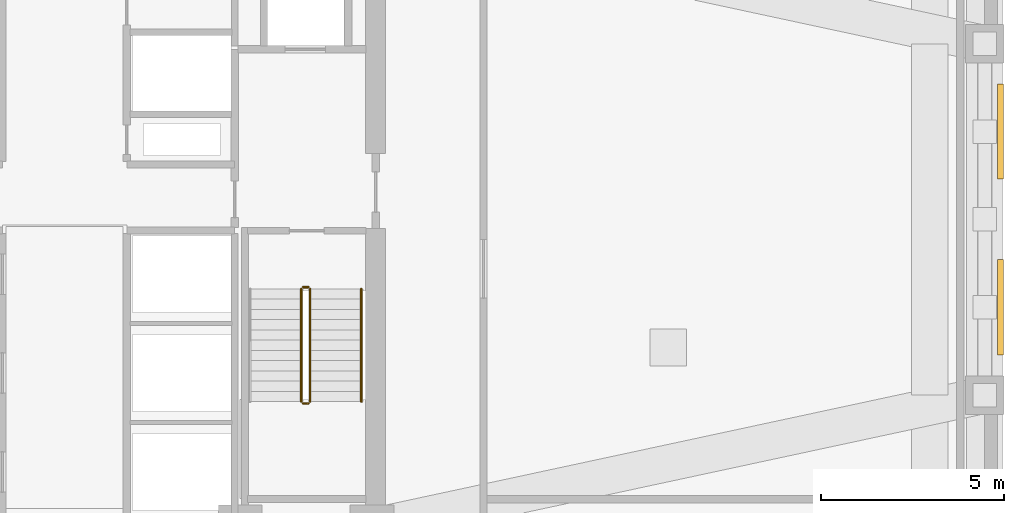
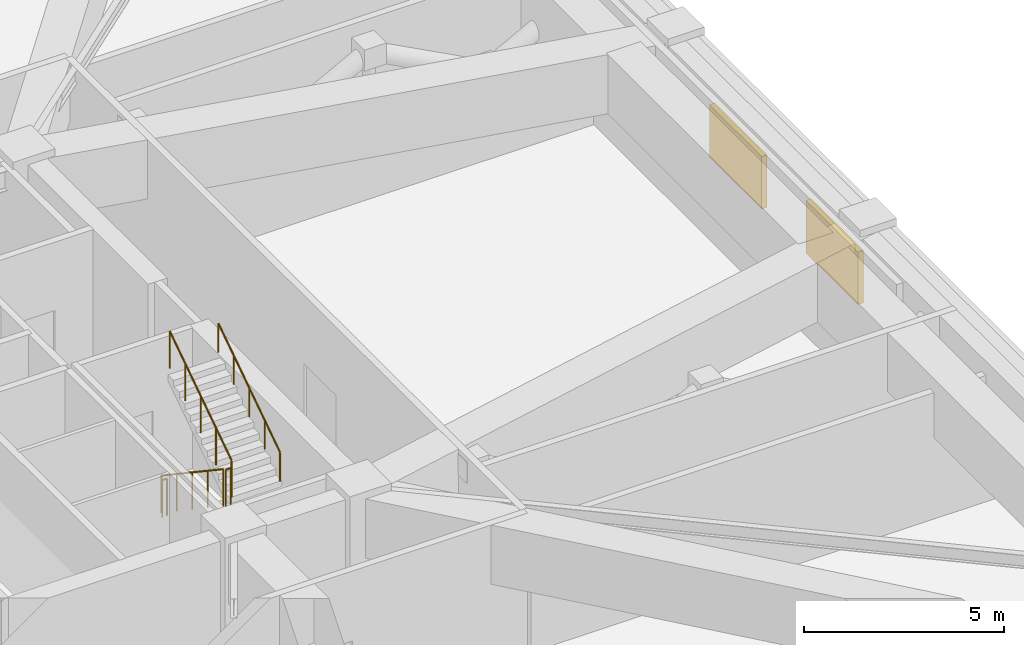
# One storey, part 11 of 13: 5 railings, 2 shading devices.
"""IFC4 building model written with IfcOpenShell, lengths in metres."""

import ifcopenshell
import ifcopenshell.guid

model = None  # the IFC model being written
_history = None  # IfcOwnerHistory: only IFC2X3 demands one
_inside = {}  # id of a spatial element -> (the spatial element, [elements in it])
_under = {}  # id of a project, library or spatial element -> (it, [spatial elements below it])
_declared = {}  # id of a project -> (the project, [libraries it declares])
_typed = {}  # id of a type object -> (the type object, [elements of that type])
_made_of = {}  # id of a material, layer set ... -> (it, [elements and type objects made of it])


def new_model(schema):
    """Start an empty IFC model of exactly this schema.

    Asked for "IFC4X3", IfcOpenShell would pick the latest addendum, in which some entities
    have other attributes; the version numbers below select the first issue.
    IFC2X3 requires an IfcOwnerHistory on every rooted entity: one is made here for all.
    """
    global model, _history
    if schema == "IFC4X3":
        model = ifcopenshell.file(schema_version=(4, 3, 0, 0))
    else:
        model = ifcopenshell.file(schema=schema)
    _inside.clear()
    _under.clear()
    _declared.clear()
    _typed.clear()
    _made_of.clear()
    _history = None
    if model.schema == "IFC2X3":
        org = make("IfcOrganization", Name="unknown")
        user = make(
            "IfcPersonAndOrganization",
            ThePerson=make("IfcPerson", FamilyName="unknown"),
            TheOrganization=org,
        )
        app = make(
            "IfcApplication",
            ApplicationDeveloper=org,
            Version="unknown",
            ApplicationFullName="unknown",
            ApplicationIdentifier="unknown",
        )
        _history = make(
            "IfcOwnerHistory",
            OwningUser=user,
            OwningApplication=app,
            ChangeAction="ADDED",
            CreationDate=0,
        )
    return model


def make(cls, **values):
    """One entity of the class cls with the attributes given. An attribute that is None is left unset."""
    return model.create_entity(
        cls, **{name: value for name, value in values.items() if value is not None}
    )


def rooted(cls, **values):
    """An entity with a GlobalId (a new one), such as an element, a storey or a relation."""
    return make(cls, GlobalId=ifcopenshell.guid.new(), OwnerHistory=_history, **values)


def si_unit(unit_type, name, prefix=None):
    """IfcSIUnit, for example si_unit("LENGTHUNIT", "METRE", prefix="MILLI")."""
    return make("IfcSIUnit", UnitType=unit_type, Prefix=prefix, Name=name)


def assignment(units):
    """IfcUnitAssignment: the units of a project."""
    return None if units is None else make("IfcUnitAssignment", Units=units)


def point(xyz):
    """IfcCartesianPoint."""
    return None if xyz is None else make("IfcCartesianPoint", Coordinates=xyz)


def direction(xyz):
    """IfcDirection."""
    return None if xyz is None else make("IfcDirection", DirectionRatios=xyz)


def frame(location, z_axis=None, x_axis=None):
    """IfcAxis2Placement3D, a coordinate frame: its origin and axes. An axis left out is left unset."""
    return make(
        "IfcAxis2Placement3D",
        Location=point(location),
        Axis=direction(z_axis),
        RefDirection=direction(x_axis),
    )


def frame_2d(location, x_axis=None):
    """IfcAxis2Placement2D, a coordinate frame in the plane: its origin and x axis."""
    return make(
        "IfcAxis2Placement2D", Location=point(location), RefDirection=direction(x_axis)
    )


def origin():
    """The frame at (0, 0, 0) with its axes left unset."""
    return frame((0.0, 0.0, 0.0))


def origin_2d():
    """The frame at (0, 0) in the plane with its x axis left unset."""
    return frame_2d((0.0, 0.0))


def place(relative_to, where):
    """IfcLocalPlacement: puts the frame where relative to a parent placement (None: the world)."""
    return make(
        "IfcLocalPlacement", PlacementRelTo=relative_to, RelativePlacement=where
    )


def context(
    kind, dimensions, precision=None, world=None, true_north=None, identifier=None
):
    """IfcGeometricRepresentationContext, for example the 3D "Model" context."""
    return make(
        "IfcGeometricRepresentationContext",
        ContextIdentifier=identifier,
        ContextType=kind,
        CoordinateSpaceDimension=dimensions,
        Precision=precision,
        WorldCoordinateSystem=world,
        TrueNorth=true_north,
    )


def subcontext(parent, identifier, kind, view, scale=None):
    """IfcGeometricRepresentationSubContext, for example "Body" below "Model"."""
    return make(
        "IfcGeometricRepresentationSubContext",
        ContextIdentifier=identifier,
        ContextType=kind,
        ParentContext=parent,
        TargetScale=scale,
        TargetView=view,
    )


def project(units=None, contexts=None):
    """IfcProject with its units and contexts."""
    return rooted(
        "IfcProject",
        Name="project",
        RepresentationContexts=contexts,
        UnitsInContext=assignment(units),
    )


def spatial(cls, under=None, at=None, **own):
    """A site, building, storey or space (cls), placed at a placement, below another one or the project."""
    s = rooted(cls, ObjectPlacement=at, **own)
    if under is not None:
        _under.setdefault(under.id(), (under, []))[1].append(s)
    return s


def profile(cls, at=None, kind="AREA", **sizes):
    """A parametric profile (cls). Its sizes go by their IFC names, for example OverallWidth=200.0."""
    return make(cls, ProfileType=kind, Position=at, **sizes)


def rectangle(**sizes):
    """IfcRectangleProfileDef."""
    return profile("IfcRectangleProfileDef", **sizes)


def circle(**sizes):
    """IfcCircleProfileDef."""
    return profile("IfcCircleProfileDef", **sizes)


def extrude(swept, where, along, depth):
    """IfcExtrudedAreaSolid: the profile swept, set in the frame where, extruded along a direction by depth."""
    return make(
        "IfcExtrudedAreaSolid",
        SweptArea=swept,
        Position=where,
        ExtrudedDirection=direction(along),
        Depth=depth,
    )


def shape(context_of_items, identifier, shape_type, items):
    """IfcShapeRepresentation: the items that make up one representation, for example the "Body"."""
    return make(
        "IfcShapeRepresentation",
        ContextOfItems=context_of_items,
        RepresentationIdentifier=identifier,
        RepresentationType=shape_type,
        Items=items,
    )


def material(Name=None, Category=None):
    """IfcMaterial."""
    return make("IfcMaterial", Name=Name, Category=Category)


def made_of(thing, what):
    """Note that an element or type object is made of a material, layer set ...; save() writes the relation."""
    if what is not None:
        _made_of.setdefault(what.id(), (what, []))[1].append(thing)
    return thing


def type_object(cls, material=None, **own):
    """A type object (cls), such as IfcWallType, which elements share."""
    return made_of(rooted(cls, **own), material)


def element(
    cls,
    number,
    at=None,
    inside=None,
    cuts=None,
    type_object=None,
    material=None,
    context=None,
    identifier="Body",
    shape_type=None,
    held_by="IfcProductDefinitionShape",
    body=None,
    shapes=None,
    **own,
):
    """One element of the class cls, such as IfcWall. Its Tag is "e" and its number.

    at: its placement. inside: the storey or other place that contains it. cuts: it is an
    opening in that element (IfcRelVoidsElement). A single representation is given by context,
    identifier, shape_type and body (its items); several are given by shapes. held_by: the class
    of the entity that holds the representations. save() writes the other relations.
    """
    e = rooted(cls, Tag="e%d" % number, ObjectPlacement=at, **own)
    if body is not None:
        shapes = [shape(context, identifier, shape_type, body)]
    if shapes is not None:
        e.Representation = make(held_by, Representations=shapes)
    if inside is not None:
        _inside.setdefault(inside.id(), (inside, []))[1].append(e)
    if cuts is not None:
        rooted(
            "IfcRelVoidsElement", RelatingBuildingElement=cuts, RelatedOpeningElement=e
        )
    if type_object is not None:
        _typed.setdefault(type_object.id(), (type_object, []))[1].append(e)
    return made_of(e, material)


def aggregate(whole, parts):
    """IfcRelAggregates: a whole, such as a stair, and the parts it consists of."""
    return rooted("IfcRelAggregates", RelatingObject=whole, RelatedObjects=parts)


def save(model, path):
    """Write the relations noted so far, then the file.

    IfcRelAggregates (storeys below a building ...), IfcRelContainedInSpatialStructure (elements
    in a storey), IfcRelDefinesByType, IfcRelAssociatesMaterial and IfcRelDeclares: one each for
    every whole, place, type object, material and project.
    """
    for whole, parts in _under.values():
        aggregate(whole, parts)
    for where, things in _inside.values():
        rooted(
            "IfcRelContainedInSpatialStructure",
            RelatedElements=things,
            RelatingStructure=where,
        )
    for kind, things in _typed.values():
        rooted("IfcRelDefinesByType", RelatedObjects=things, RelatingType=kind)
    for what, things in _made_of.values():
        rooted("IfcRelAssociatesMaterial", RelatedObjects=things, RelatingMaterial=what)
    for by, libraries in _declared.values():
        rooted("IfcRelDeclares", RelatingContext=by, RelatedDefinitions=libraries)
    model.write(path)


model = new_model("IFC4")

# Units and contexts
model_context = context("Model", 3, precision=1e-05, world=origin(), true_north=direction((0.0, 1.0)))
body_context = subcontext(model_context, "Body", "Model", "MODEL_VIEW")
ifc_project = project(units=[si_unit("LENGTHUNIT", "METRE"), si_unit("AREAUNIT", "SQUARE_METRE"), si_unit("VOLUMEUNIT", "CUBIC_METRE"), si_unit("PLANEANGLEUNIT", "RADIAN"), si_unit("MASSUNIT", "GRAM", prefix="KILO")], contexts=[model_context])

# Site, building, storey
site_placement = place(None, origin())
site = spatial("IfcSite", under=ifc_project, at=site_placement, CompositionType="ELEMENT")
building_placement = place(site_placement, origin())
building = spatial("IfcBuilding", under=site, at=building_placement, Name="Cairnveth Concourse Tower", CompositionType="ELEMENT")
storey_placement = place(building_placement, frame((0.0, 0.0, 97.0)))
storey = spatial("IfcBuildingStorey", under=building, at=storey_placement, Name="L26", CompositionType="ELEMENT", Elevation=97.0)

# Shading devices
ifc_material_1 = material(Name="Architectural Bronze Anodised Aluminium 6063-T6", Category="aluminium")
shading_device_type = type_object("IfcShadingDeviceType", Name="PLANT ACOUSTIC WEATHER LOUVRE", PredefinedType="JALOUSIE", material=ifc_material_1)
for number, where, z_axis, x_axis, name in (
    (1, (77.575927734375, 36.60009765625, 0.949951171875), (0.0, 0.0, 1.0), (1.0, 0.0, 0.0), "Plant Acoustic Weather Louvre L26-8-1"),
    (2, (77.575927734375, 41.39990234375, 0.949951171875), (0.0, 0.0, 1.0), (1.0, 0.0, 0.0), "Plant Acoustic Weather Louvre L26-8-2"),
):
    element("IfcShadingDevice", number, at=place(storey_placement, frame(where, z_axis=z_axis, x_axis=x_axis)), inside=storey, type_object=shading_device_type, Name=name, PredefinedType="JALOUSIE", context=body_context, shape_type="SweptSolid", body=[
        extrude(rectangle(XDim=0.159912109375, YDim=2.60009765625, at=origin_2d()), origin(), (0.0, 0.0, 1.0), 1.60009765625),
    ])

# Railings
ifc_material_2 = material(Name="Steel Grade 350", Category="steel")
railing_type_1 = type_object("IfcRailingType", Name="STAIR GUARDRAIL 1150", PredefinedType="GUARDRAIL", material=ifc_material_2)
railing_1_placement = place(storey_placement, frame((58.469970703125, 37.10009765625, 0.1875)))
element("IfcRailing", 3, at=railing_1_placement, inside=storey, type_object=railing_type_1, Name="L26 ST-2 stair guard 1", PredefinedType="GUARDRAIL", context=body_context, shape_type="SweptSolid", body=[
    extrude(circle(Radius=0.02392578125, at=origin_2d()), frame((0.0, 0.0, 1.1259765625), z_axis=(0.0, -0.830913701846, 0.55640131208), x_axis=(1.0, 0.0, 0.0)), (0.0, 0.0, 1.0), 3.706787109375),
    extrude(circle(Radius=0.02099609375, at=origin_2d()), origin(), (0.0, 0.0, 1.0), 1.101806640625),
    extrude(circle(Radius=0.02099609375, at=origin_2d()), frame((0.0, -0.77001953125, 0.515625)), (0.0, 0.0, 1.0), 1.101806640625),
    extrude(circle(Radius=0.02099609375, at=origin_2d()), frame((0.0, -1.5400390625, 1.03125)), (0.0, 0.0, 1.0), 1.101806640625),
    extrude(circle(Radius=0.02099609375, at=origin_2d()), frame((0.0, -2.31005859375, 1.546875)), (0.0, 0.0, 1.0), 1.101806640625),
    extrude(circle(Radius=0.02099609375, at=origin_2d()), frame((0.0, -3.080078125, 2.0625)), (0.0, 0.0, 1.0), 1.101806640625),
])
railing_2_placement = place(storey_placement, frame((58.52001953125, 33.969970703125, 2.25)))
element("IfcRailing", 4, at=railing_2_placement, inside=storey, type_object=railing_type_1, Name="L26 ST-2 stair guard 2", PredefinedType="GUARDRAIL", context=body_context, shape_type="SweptSolid", body=[
    extrude(circle(Radius=0.02392578125, at=origin_2d()), frame((0.0, 0.0, 1.1259765625), z_axis=(1.0, 0.0, 0.0), x_axis=(0.0, 1.0, 0.0)), (0.0, 0.0, 1.0), 0.139892578125),
    extrude(circle(Radius=0.02099609375, at=origin_2d()), origin(), (0.0, 0.0, 1.0), 1.101806640625),
    extrude(circle(Radius=0.02099609375, at=origin_2d()), frame((0.139892578125, 0.0, 0.0)), (0.0, 0.0, 1.0), 1.101806640625),
])
railing_3_placement = place(storey_placement, frame((58.7099609375, 34.02001953125, 2.4375)))
element("IfcRailing", 5, at=railing_3_placement, inside=storey, type_object=railing_type_1, Name="L26 ST-2 stair guard 3", PredefinedType="GUARDRAIL", context=body_context, shape_type="SweptSolid", body=[
    extrude(circle(Radius=0.02392578125, at=origin_2d()), frame((0.0, 0.0, 1.1259765625), z_axis=(0.0, 0.830913701846, 0.55640131208), x_axis=(-1.0, 0.0, 0.0)), (0.0, 0.0, 1.0), 3.706787109375),
    extrude(circle(Radius=0.02099609375, at=origin_2d()), origin(), (0.0, 0.0, 1.0), 1.101806640625),
    extrude(circle(Radius=0.02099609375, at=origin_2d()), frame((0.0, 0.77001953125, 0.515625)), (0.0, 0.0, 1.0), 1.101806640625),
    extrude(circle(Radius=0.02099609375, at=origin_2d()), frame((0.0, 1.5400390625, 1.03125)), (0.0, 0.0, 1.0), 1.101806640625),
    extrude(circle(Radius=0.02099609375, at=origin_2d()), frame((0.0, 2.31005859375, 1.546875)), (0.0, 0.0, 1.0), 1.101806640625),
    extrude(circle(Radius=0.02099609375, at=origin_2d()), frame((0.0, 3.080078125, 2.0625)), (0.0, 0.0, 1.0), 1.101806640625),
])
railing_4_placement = place(storey_placement, frame((58.52001953125, 37.14990234375, 0.0)))
element("IfcRailing", 6, at=railing_4_placement, inside=storey, type_object=railing_type_1, Name="L26 ST-2 stair guard 4", PredefinedType="GUARDRAIL", context=body_context, shape_type="SweptSolid", body=[
    extrude(circle(Radius=0.02392578125, at=origin_2d()), frame((0.0, 0.0, 1.1259765625), z_axis=(1.0, 0.0, 0.0), x_axis=(0.0, 1.0, 0.0)), (0.0, 0.0, 1.0), 0.139892578125),
    extrude(circle(Radius=0.02099609375, at=origin_2d()), origin(), (0.0, 0.0, 1.0), 1.101806640625),
    extrude(circle(Radius=0.02099609375, at=origin_2d()), frame((0.139892578125, 0.0, 0.0)), (0.0, 0.0, 1.0), 1.101806640625),
])
railing_type_2 = type_object("IfcRailingType", Name="STAIR WALL HANDRAIL 900", PredefinedType="HANDRAIL", material=ifc_material_2)
railing_5_placement = place(storey_placement, frame((60.110107421875, 34.02001953125, 2.4375)))
element("IfcRailing", 7, at=railing_5_placement, inside=storey, type_object=railing_type_2, Name="L26 ST-2 stair handrail 2", PredefinedType="HANDRAIL", context=body_context, shape_type="SweptSolid", body=[
    extrude(circle(Radius=0.02392578125, at=origin_2d()), frame((0.0, 0.0, 0.8759765625), z_axis=(0.0, 0.830913701846, 0.55640131208), x_axis=(-1.0, 0.0, 0.0)), (0.0, 0.0, 1.0), 3.706787109375),
    extrude(circle(Radius=0.02099609375, at=origin_2d()), origin(), (0.0, 0.0, 1.0), 0.851806640625),
    extrude(circle(Radius=0.02099609375, at=origin_2d()), frame((0.0, 0.77001953125, 0.515625)), (0.0, 0.0, 1.0), 0.851806640625),
    extrude(circle(Radius=0.02099609375, at=origin_2d()), frame((0.0, 1.5400390625, 1.03125)), (0.0, 0.0, 1.0), 0.851806640625),
    extrude(circle(Radius=0.02099609375, at=origin_2d()), frame((0.0, 2.31005859375, 1.546875)), (0.0, 0.0, 1.0), 0.851806640625),
    extrude(circle(Radius=0.02099609375, at=origin_2d()), frame((0.0, 3.080078125, 2.0625)), (0.0, 0.0, 1.0), 0.851806640625),
])

save(model, "model.ifc")
